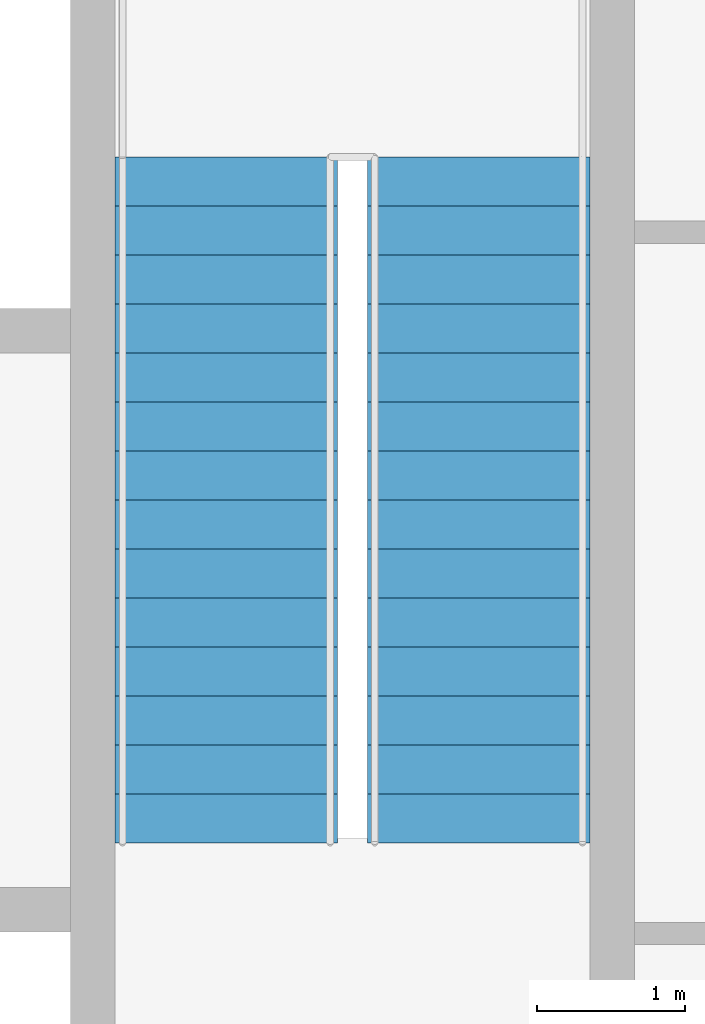
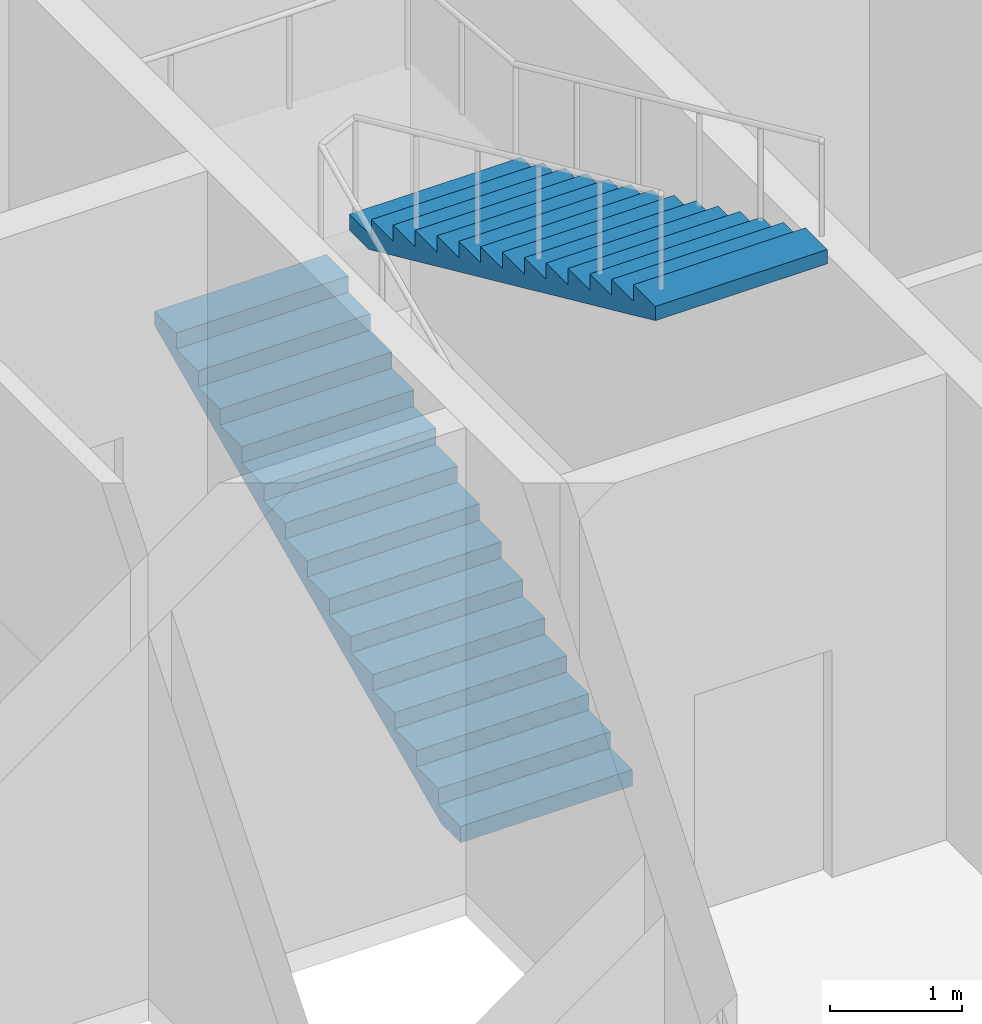
# One storey, part 10 of 11: 2 stair flights, 1 element without a shape of its own.
"""IFC4 building model written with IfcOpenShell, lengths in metres."""

from ifc_helpers import new_model, si_unit, direction, frame, origin, place, context, subcontext, project, spatial, polygons, material, type_object, element, aggregate, save


model = new_model("IFC4")

# Units and contexts
model_context = context("Model", 3, precision=1e-05, world=origin(), true_north=direction((0.0, 1.0)))
body_context = subcontext(model_context, "Body", "Model", "MODEL_VIEW")
ifc_project = project(units=[si_unit("LENGTHUNIT", "METRE"), si_unit("AREAUNIT", "SQUARE_METRE"), si_unit("VOLUMEUNIT", "CUBIC_METRE"), si_unit("PLANEANGLEUNIT", "RADIAN"), si_unit("MASSUNIT", "GRAM", prefix="KILO")], contexts=[model_context])

# Site, building, storey
site_placement = place(None, origin())
site = spatial("IfcSite", under=ifc_project, at=site_placement, CompositionType="ELEMENT")
building_placement = place(site_placement, origin())
building = spatial("IfcBuilding", under=site, at=building_placement, Name="Njiva Tower", CompositionType="ELEMENT")
storey_placement = place(building_placement, frame((0.0, 0.0, 33.3)))
storey = spatial("IfcBuildingStorey", under=building, at=storey_placement, Name="L06", CompositionType="ELEMENT", Elevation=33.3)

# Stair, stair flights
ifc_material = material(Name="Concrete C40/50", Category="concrete")
stair_type = type_object("IfcStairType", Name="ST4 Exit stair 1500", PredefinedType="HALF_TURN_STAIR", material=ifc_material)
stair_placement = place(storey_placement, origin())
stair = element("IfcStair", 1, at=stair_placement, inside=storey, type_object=stair_type, Name="Stair B", PredefinedType="HALF_TURN_STAIR")
stair_flight_type = type_object("IfcStairFlightType", Name="FL4 Stair flight 1500", PredefinedType="STRAIGHT", material=ifc_material)
stair_flight_1_placement = place(storey_placement, frame((11.75, 11.1, 0.0), z_axis=(0.0, 0.0, 1.0), x_axis=(0.0, 1.0, 0.0)))
stair_flight_1 = element("IfcStairFlight", 2, at=stair_flight_1_placement, type_object=stair_flight_type, Name="ST-B flight 1", NumberOfRisers=15, NumberOfTreads=14, PredefinedType="STRAIGHT", RiserHeight=0.15, TreadLength=0.33, context=body_context, shape_type="Tessellation", body=[
    polygons([(0.0, 0.75, 0.0), (0.0, 0.375, 0.0), (0.0, 0.0, 0.0), (0.0, -0.375, 0.0), (0.0, -0.75, 0.0), (0.0, 0.75, 0.15), (0.0, 0.375, 0.15), (0.0, 0.0, 0.15), (0.0, -0.375, 0.15), (0.0, -0.75, 0.15), (0.33, 0.75, 0.15), (0.33, 0.375, 0.15), (0.33, 0.0, 0.15), (0.33, -0.375, 0.15), (0.33, -0.75, 0.15), (0.33, 0.75, 0.3), (0.33, 0.375, 0.3), (0.33, 0.0, 0.3), (0.33, -0.375, 0.3), (0.33, -0.75, 0.3), (0.66, 0.75, 0.3), (0.66, 0.375, 0.3), (0.66, 0.0, 0.3), (0.66, -0.375, 0.3), (0.66, -0.75, 0.3), (0.66, 0.75, 0.45), (0.66, 0.375, 0.45), (0.66, 0.0, 0.45), (0.66, -0.375, 0.45), (0.66, -0.75, 0.45), (0.99, 0.75, 0.45), (0.99, 0.375, 0.45), (0.99, 0.0, 0.45), (0.99, -0.375, 0.45), (0.99, -0.75, 0.45), (0.99, 0.75, 0.6), (0.99, 0.375, 0.6), (0.99, 0.0, 0.6), (0.99, -0.375, 0.6), (0.99, -0.75, 0.6), (1.32, 0.75, 0.6), (1.32, 0.375, 0.6), (1.32, 0.0, 0.6), (1.32, -0.375, 0.6), (1.32, -0.75, 0.6), (1.32, 0.75, 0.75), (1.32, 0.375, 0.75), (1.32, 0.0, 0.75), (1.32, -0.375, 0.75), (1.32, -0.75, 0.75), (1.65, 0.75, 0.75), (1.65, 0.375, 0.75), (1.65, 0.0, 0.75), (1.65, -0.375, 0.75), (1.65, -0.75, 0.75), (1.65, 0.75, 0.9), (1.65, 0.375, 0.9), (1.65, 0.0, 0.9), (1.65, -0.375, 0.9), (1.65, -0.75, 0.9), (1.98, 0.75, 0.9), (1.98, 0.375, 0.9), (1.98, 0.0, 0.9), (1.98, -0.375, 0.9), (1.98, -0.75, 0.9), (1.98, 0.75, 1.05), (1.98, 0.375, 1.05), (1.98, 0.0, 1.05), (1.98, -0.375, 1.05), (1.98, -0.75, 1.05), (2.31, 0.75, 1.05), (2.31, 0.375, 1.05), (2.31, 0.0, 1.05), (2.31, -0.375, 1.05), (2.31, -0.75, 1.05), (2.31, 0.75, 1.2), (2.31, 0.375, 1.2), (2.31, 0.0, 1.2), (2.31, -0.375, 1.2), (2.31, -0.75, 1.2), (2.64, 0.75, 1.2), (2.64, 0.375, 1.2), (2.64, 0.0, 1.2), (2.64, -0.375, 1.2), (2.64, -0.75, 1.2), (2.64, 0.75, 1.35), (2.64, 0.375, 1.35), (2.64, 0.0, 1.35), (2.64, -0.375, 1.35), (2.64, -0.75, 1.35), (2.97, 0.75, 1.35), (2.97, 0.375, 1.35), (2.97, 0.0, 1.35), (2.97, -0.375, 1.35), (2.97, -0.75, 1.35), (2.97, 0.75, 1.5), (2.97, 0.375, 1.5), (2.97, 0.0, 1.5), (2.97, -0.375, 1.5), (2.97, -0.75, 1.5), (3.3, 0.75, 1.5), (3.3, 0.375, 1.5), (3.3, 0.0, 1.5), (3.3, -0.375, 1.5), (3.3, -0.75, 1.5), (3.3, 0.75, 1.65), (3.3, 0.375, 1.65), (3.3, 0.0, 1.65), (3.3, -0.375, 1.65), (3.3, -0.75, 1.65), (3.63, 0.75, 1.65), (3.63, 0.375, 1.65), (3.63, 0.0, 1.65), (3.63, -0.375, 1.65), (3.63, -0.75, 1.65), (3.63, 0.75, 1.8), (3.63, 0.375, 1.8), (3.63, 0.0, 1.8), (3.63, -0.375, 1.8), (3.63, -0.75, 1.8), (3.96, 0.75, 1.8), (3.96, 0.375, 1.8), (3.96, 0.0, 1.8), (3.96, -0.375, 1.8), (3.96, -0.75, 1.8), (3.96, 0.75, 1.95), (3.96, 0.375, 1.95), (3.96, 0.0, 1.95), (3.96, -0.375, 1.95), (3.96, -0.75, 1.95), (4.29, 0.75, 1.95), (4.29, 0.375, 1.95), (4.29, 0.0, 1.95), (4.29, -0.375, 1.95), (4.29, -0.75, 1.95), (4.29, 0.75, 2.1), (4.29, 0.375, 2.1), (4.29, 0.0, 2.1), (4.29, -0.375, 2.1), (4.29, -0.75, 2.1), (4.62, 0.75, 2.1), (4.62, 0.375, 2.1), (4.62, 0.0, 2.1), (4.62, -0.375, 2.1), (4.62, -0.75, 2.1), (4.62, 0.75, 1.9682), (4.62, 0.375, 1.9682), (4.62, 0.0, 1.9682), (4.62, -0.375, 1.9682), (4.62, -0.75, 1.9682), (0.29, 0.75, 0.0), (0.29, 0.375, 0.0), (0.29, 0.0, 0.0), (0.29, -0.375, 0.0), (0.29, -0.75, 0.0)], [[[1, 6, 11, 16, 21, 26, 31, 36, 41, 46, 51, 56, 61, 66, 71, 76, 81, 86, 91, 96, 101, 106, 111, 116, 121, 126, 131, 136, 141, 146, 151]], [[155, 150, 145, 140, 135, 130, 125, 120, 115, 110, 105, 100, 95, 90, 85, 80, 75, 70, 65, 60, 55, 50, 45, 40, 35, 30, 25, 20, 15, 10, 5]], [[6, 1, 2, 7]], [[7, 2, 3, 8]], [[8, 3, 4, 9]], [[9, 4, 5, 10]], [[11, 6, 7, 12]], [[12, 7, 8, 13]], [[13, 8, 9, 14]], [[14, 9, 10, 15]], [[16, 11, 12, 17]], [[17, 12, 13, 18]], [[18, 13, 14, 19]], [[19, 14, 15, 20]], [[21, 16, 17, 22]], [[22, 17, 18, 23]], [[23, 18, 19, 24]], [[24, 19, 20, 25]], [[26, 21, 22, 27]], [[27, 22, 23, 28]], [[28, 23, 24, 29]], [[29, 24, 25, 30]], [[31, 26, 27, 32]], [[32, 27, 28, 33]], [[33, 28, 29, 34]], [[34, 29, 30, 35]], [[36, 31, 32, 37]], [[37, 32, 33, 38]], [[38, 33, 34, 39]], [[39, 34, 35, 40]], [[41, 36, 37, 42]], [[42, 37, 38, 43]], [[43, 38, 39, 44]], [[44, 39, 40, 45]], [[46, 41, 42, 47]], [[47, 42, 43, 48]], [[48, 43, 44, 49]], [[49, 44, 45, 50]], [[51, 46, 47, 52]], [[52, 47, 48, 53]], [[53, 48, 49, 54]], [[54, 49, 50, 55]], [[56, 51, 52, 57]], [[57, 52, 53, 58]], [[58, 53, 54, 59]], [[59, 54, 55, 60]], [[61, 56, 57, 62]], [[62, 57, 58, 63]], [[63, 58, 59, 64]], [[64, 59, 60, 65]], [[66, 61, 62, 67]], [[67, 62, 63, 68]], [[68, 63, 64, 69]], [[69, 64, 65, 70]], [[71, 66, 67, 72]], [[72, 67, 68, 73]], [[73, 68, 69, 74]], [[74, 69, 70, 75]], [[76, 71, 72, 77]], [[77, 72, 73, 78]], [[78, 73, 74, 79]], [[79, 74, 75, 80]], [[81, 76, 77, 82]], [[82, 77, 78, 83]], [[83, 78, 79, 84]], [[84, 79, 80, 85]], [[86, 81, 82, 87]], [[87, 82, 83, 88]], [[88, 83, 84, 89]], [[89, 84, 85, 90]], [[91, 86, 87, 92]], [[92, 87, 88, 93]], [[93, 88, 89, 94]], [[94, 89, 90, 95]], [[96, 91, 92, 97]], [[97, 92, 93, 98]], [[98, 93, 94, 99]], [[99, 94, 95, 100]], [[101, 96, 97, 102]], [[102, 97, 98, 103]], [[103, 98, 99, 104]], [[104, 99, 100, 105]], [[106, 101, 102, 107]], [[107, 102, 103, 108]], [[108, 103, 104, 109]], [[109, 104, 105, 110]], [[111, 106, 107, 112]], [[112, 107, 108, 113]], [[113, 108, 109, 114]], [[114, 109, 110, 115]], [[116, 111, 112, 117]], [[117, 112, 113, 118]], [[118, 113, 114, 119]], [[119, 114, 115, 120]], [[121, 116, 117, 122]], [[122, 117, 118, 123]], [[123, 118, 119, 124]], [[124, 119, 120, 125]], [[126, 121, 122, 127]], [[127, 122, 123, 128]], [[128, 123, 124, 129]], [[129, 124, 125, 130]], [[131, 126, 127, 132]], [[132, 127, 128, 133]], [[133, 128, 129, 134]], [[134, 129, 130, 135]], [[136, 131, 132, 137]], [[137, 132, 133, 138]], [[138, 133, 134, 139]], [[139, 134, 135, 140]], [[141, 136, 137, 142]], [[142, 137, 138, 143]], [[143, 138, 139, 144]], [[144, 139, 140, 145]], [[146, 141, 142, 147]], [[147, 142, 143, 148]], [[148, 143, 144, 149]], [[149, 144, 145, 150]], [[151, 146, 147, 152]], [[152, 147, 148, 153]], [[153, 148, 149, 154]], [[154, 149, 150, 155]], [[1, 151, 152, 2]], [[2, 152, 153, 3]], [[3, 153, 154, 4]], [[4, 154, 155, 5]]], closed=True),
])
stair_flight_2_placement = place(storey_placement, frame((13.45, 15.72, 2.25), z_axis=(0.0, 0.0, 1.0), x_axis=(0.0, -1.0, 0.0)))
stair_flight_2 = element("IfcStairFlight", 3, at=stair_flight_2_placement, type_object=stair_flight_type, Name="ST-B flight 2", NumberOfRisers=15, NumberOfTreads=14, PredefinedType="STRAIGHT", RiserHeight=0.15, TreadLength=0.33, context=body_context, shape_type="Tessellation", body=[
    polygons([(0.0, 0.75, 0.0), (0.0, 0.375, 0.0), (0.0, 0.0, 0.0), (0.0, -0.375, 0.0), (0.0, -0.75, 0.0), (0.0, 0.75, 0.15), (0.0, 0.375, 0.15), (0.0, 0.0, 0.15), (0.0, -0.375, 0.15), (0.0, -0.75, 0.15), (0.33, 0.75, 0.15), (0.33, 0.375, 0.15), (0.33, 0.0, 0.15), (0.33, -0.375, 0.15), (0.33, -0.75, 0.15), (0.33, 0.75, 0.3), (0.33, 0.375, 0.3), (0.33, 0.0, 0.3), (0.33, -0.375, 0.3), (0.33, -0.75, 0.3), (0.66, 0.75, 0.3), (0.66, 0.375, 0.3), (0.66, 0.0, 0.3), (0.66, -0.375, 0.3), (0.66, -0.75, 0.3), (0.66, 0.75, 0.45), (0.66, 0.375, 0.45), (0.66, 0.0, 0.45), (0.66, -0.375, 0.45), (0.66, -0.75, 0.45), (0.99, 0.75, 0.45), (0.99, 0.375, 0.45), (0.99, 0.0, 0.45), (0.99, -0.375, 0.45), (0.99, -0.75, 0.45), (0.99, 0.75, 0.6), (0.99, 0.375, 0.6), (0.99, 0.0, 0.6), (0.99, -0.375, 0.6), (0.99, -0.75, 0.6), (1.32, 0.75, 0.6), (1.32, 0.375, 0.6), (1.32, 0.0, 0.6), (1.32, -0.375, 0.6), (1.32, -0.75, 0.6), (1.32, 0.75, 0.75), (1.32, 0.375, 0.75), (1.32, 0.0, 0.75), (1.32, -0.375, 0.75), (1.32, -0.75, 0.75), (1.65, 0.75, 0.75), (1.65, 0.375, 0.75), (1.65, 0.0, 0.75), (1.65, -0.375, 0.75), (1.65, -0.75, 0.75), (1.65, 0.75, 0.9), (1.65, 0.375, 0.9), (1.65, 0.0, 0.9), (1.65, -0.375, 0.9), (1.65, -0.75, 0.9), (1.98, 0.75, 0.9), (1.98, 0.375, 0.9), (1.98, 0.0, 0.9), (1.98, -0.375, 0.9), (1.98, -0.75, 0.9), (1.98, 0.75, 1.05), (1.98, 0.375, 1.05), (1.98, 0.0, 1.05), (1.98, -0.375, 1.05), (1.98, -0.75, 1.05), (2.31, 0.75, 1.05), (2.31, 0.375, 1.05), (2.31, 0.0, 1.05), (2.31, -0.375, 1.05), (2.31, -0.75, 1.05), (2.31, 0.75, 1.2), (2.31, 0.375, 1.2), (2.31, 0.0, 1.2), (2.31, -0.375, 1.2), (2.31, -0.75, 1.2), (2.64, 0.75, 1.2), (2.64, 0.375, 1.2), (2.64, 0.0, 1.2), (2.64, -0.375, 1.2), (2.64, -0.75, 1.2), (2.64, 0.75, 1.35), (2.64, 0.375, 1.35), (2.64, 0.0, 1.35), (2.64, -0.375, 1.35), (2.64, -0.75, 1.35), (2.97, 0.75, 1.35), (2.97, 0.375, 1.35), (2.97, 0.0, 1.35), (2.97, -0.375, 1.35), (2.97, -0.75, 1.35), (2.97, 0.75, 1.5), (2.97, 0.375, 1.5), (2.97, 0.0, 1.5), (2.97, -0.375, 1.5), (2.97, -0.75, 1.5), (3.3, 0.75, 1.5), (3.3, 0.375, 1.5), (3.3, 0.0, 1.5), (3.3, -0.375, 1.5), (3.3, -0.75, 1.5), (3.3, 0.75, 1.65), (3.3, 0.375, 1.65), (3.3, 0.0, 1.65), (3.3, -0.375, 1.65), (3.3, -0.75, 1.65), (3.63, 0.75, 1.65), (3.63, 0.375, 1.65), (3.63, 0.0, 1.65), (3.63, -0.375, 1.65), (3.63, -0.75, 1.65), (3.63, 0.75, 1.8), (3.63, 0.375, 1.8), (3.63, 0.0, 1.8), (3.63, -0.375, 1.8), (3.63, -0.75, 1.8), (3.96, 0.75, 1.8), (3.96, 0.375, 1.8), (3.96, 0.0, 1.8), (3.96, -0.375, 1.8), (3.96, -0.75, 1.8), (3.96, 0.75, 1.95), (3.96, 0.375, 1.95), (3.96, 0.0, 1.95), (3.96, -0.375, 1.95), (3.96, -0.75, 1.95), (4.29, 0.75, 1.95), (4.29, 0.375, 1.95), (4.29, 0.0, 1.95), (4.29, -0.375, 1.95), (4.29, -0.75, 1.95), (4.29, 0.75, 2.1), (4.29, 0.375, 2.1), (4.29, 0.0, 2.1), (4.29, -0.375, 2.1), (4.29, -0.75, 2.1), (4.62, 0.75, 2.1), (4.62, 0.375, 2.1), (4.62, 0.0, 2.1), (4.62, -0.375, 2.1), (4.62, -0.75, 2.1), (4.62, 0.75, 1.9682), (4.62, 0.375, 1.9682), (4.62, 0.0, 1.9682), (4.62, -0.375, 1.9682), (4.62, -0.75, 1.9682), (0.29, 0.75, 0.0), (0.29, 0.375, 0.0), (0.29, 0.0, 0.0), (0.29, -0.375, 0.0), (0.29, -0.75, 0.0)], [[[1, 6, 11, 16, 21, 26, 31, 36, 41, 46, 51, 56, 61, 66, 71, 76, 81, 86, 91, 96, 101, 106, 111, 116, 121, 126, 131, 136, 141, 146, 151]], [[155, 150, 145, 140, 135, 130, 125, 120, 115, 110, 105, 100, 95, 90, 85, 80, 75, 70, 65, 60, 55, 50, 45, 40, 35, 30, 25, 20, 15, 10, 5]], [[6, 1, 2, 7]], [[7, 2, 3, 8]], [[8, 3, 4, 9]], [[9, 4, 5, 10]], [[11, 6, 7, 12]], [[12, 7, 8, 13]], [[13, 8, 9, 14]], [[14, 9, 10, 15]], [[16, 11, 12, 17]], [[17, 12, 13, 18]], [[18, 13, 14, 19]], [[19, 14, 15, 20]], [[21, 16, 17, 22]], [[22, 17, 18, 23]], [[23, 18, 19, 24]], [[24, 19, 20, 25]], [[26, 21, 22, 27]], [[27, 22, 23, 28]], [[28, 23, 24, 29]], [[29, 24, 25, 30]], [[31, 26, 27, 32]], [[32, 27, 28, 33]], [[33, 28, 29, 34]], [[34, 29, 30, 35]], [[36, 31, 32, 37]], [[37, 32, 33, 38]], [[38, 33, 34, 39]], [[39, 34, 35, 40]], [[41, 36, 37, 42]], [[42, 37, 38, 43]], [[43, 38, 39, 44]], [[44, 39, 40, 45]], [[46, 41, 42, 47]], [[47, 42, 43, 48]], [[48, 43, 44, 49]], [[49, 44, 45, 50]], [[51, 46, 47, 52]], [[52, 47, 48, 53]], [[53, 48, 49, 54]], [[54, 49, 50, 55]], [[56, 51, 52, 57]], [[57, 52, 53, 58]], [[58, 53, 54, 59]], [[59, 54, 55, 60]], [[61, 56, 57, 62]], [[62, 57, 58, 63]], [[63, 58, 59, 64]], [[64, 59, 60, 65]], [[66, 61, 62, 67]], [[67, 62, 63, 68]], [[68, 63, 64, 69]], [[69, 64, 65, 70]], [[71, 66, 67, 72]], [[72, 67, 68, 73]], [[73, 68, 69, 74]], [[74, 69, 70, 75]], [[76, 71, 72, 77]], [[77, 72, 73, 78]], [[78, 73, 74, 79]], [[79, 74, 75, 80]], [[81, 76, 77, 82]], [[82, 77, 78, 83]], [[83, 78, 79, 84]], [[84, 79, 80, 85]], [[86, 81, 82, 87]], [[87, 82, 83, 88]], [[88, 83, 84, 89]], [[89, 84, 85, 90]], [[91, 86, 87, 92]], [[92, 87, 88, 93]], [[93, 88, 89, 94]], [[94, 89, 90, 95]], [[96, 91, 92, 97]], [[97, 92, 93, 98]], [[98, 93, 94, 99]], [[99, 94, 95, 100]], [[101, 96, 97, 102]], [[102, 97, 98, 103]], [[103, 98, 99, 104]], [[104, 99, 100, 105]], [[106, 101, 102, 107]], [[107, 102, 103, 108]], [[108, 103, 104, 109]], [[109, 104, 105, 110]], [[111, 106, 107, 112]], [[112, 107, 108, 113]], [[113, 108, 109, 114]], [[114, 109, 110, 115]], [[116, 111, 112, 117]], [[117, 112, 113, 118]], [[118, 113, 114, 119]], [[119, 114, 115, 120]], [[121, 116, 117, 122]], [[122, 117, 118, 123]], [[123, 118, 119, 124]], [[124, 119, 120, 125]], [[126, 121, 122, 127]], [[127, 122, 123, 128]], [[128, 123, 124, 129]], [[129, 124, 125, 130]], [[131, 126, 127, 132]], [[132, 127, 128, 133]], [[133, 128, 129, 134]], [[134, 129, 130, 135]], [[136, 131, 132, 137]], [[137, 132, 133, 138]], [[138, 133, 134, 139]], [[139, 134, 135, 140]], [[141, 136, 137, 142]], [[142, 137, 138, 143]], [[143, 138, 139, 144]], [[144, 139, 140, 145]], [[146, 141, 142, 147]], [[147, 142, 143, 148]], [[148, 143, 144, 149]], [[149, 144, 145, 150]], [[151, 146, 147, 152]], [[152, 147, 148, 153]], [[153, 148, 149, 154]], [[154, 149, 150, 155]], [[1, 151, 152, 2]], [[2, 152, 153, 3]], [[3, 153, 154, 4]], [[4, 154, 155, 5]]], closed=True),
])
aggregate(stair, [stair_flight_1, stair_flight_2])

save(model, "model.ifc")
